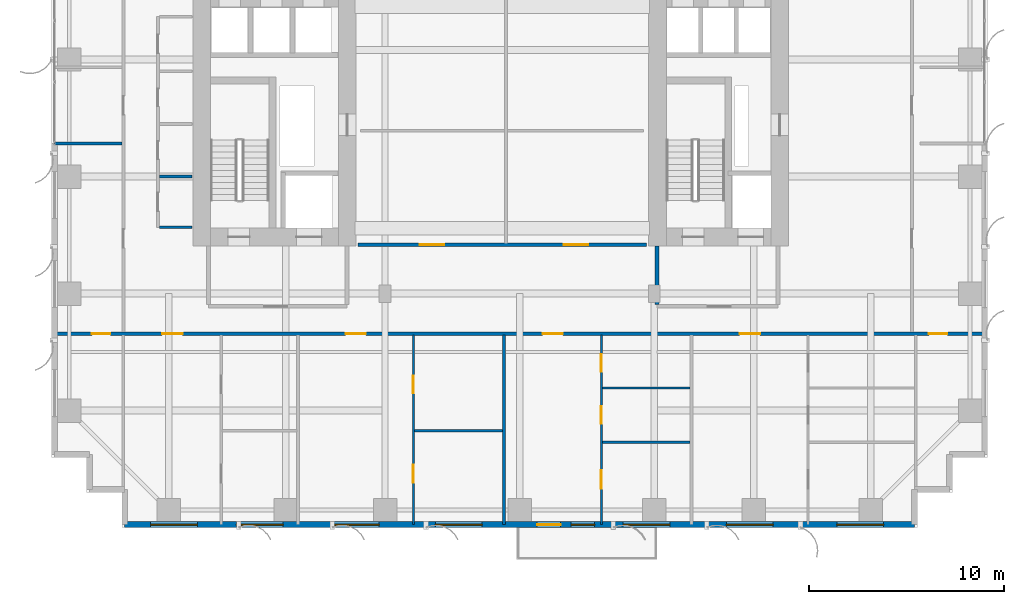
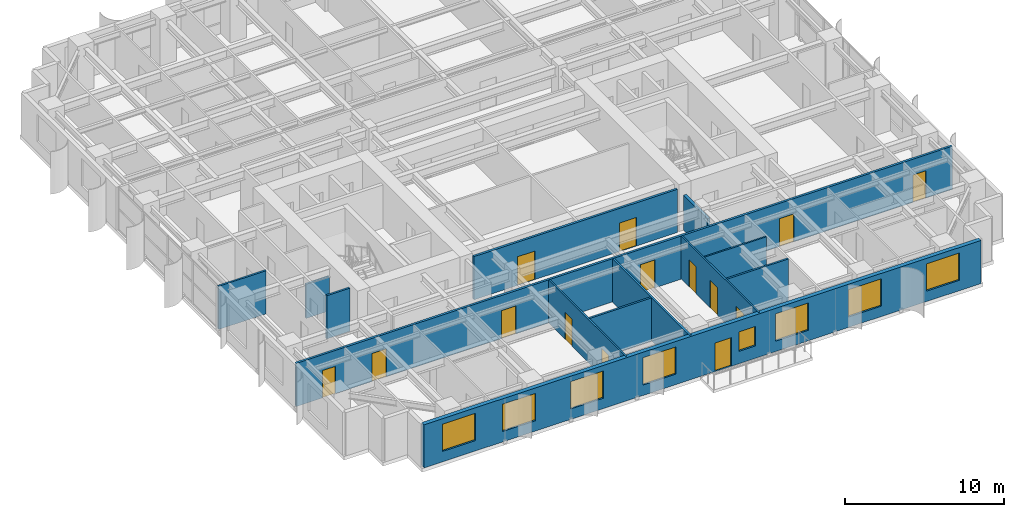
# One storey, part 9 of 17: 14 doors, 13 walls, 8 windows, 22 openings.
"""IFC4 building model written with IfcOpenShell, lengths in metres."""

import ifcopenshell
import ifcopenshell.guid

model = None  # the IFC model being written
_history = None  # IfcOwnerHistory: only IFC2X3 demands one
_inside = {}  # id of a spatial element -> (the spatial element, [elements in it])
_under = {}  # id of a project, library or spatial element -> (it, [spatial elements below it])
_declared = {}  # id of a project -> (the project, [libraries it declares])
_typed = {}  # id of a type object -> (the type object, [elements of that type])
_made_of = {}  # id of a material, layer set ... -> (it, [elements and type objects made of it])


def new_model(schema):
    """Start an empty IFC model of exactly this schema.

    Asked for "IFC4X3", IfcOpenShell would pick the latest addendum, in which some entities
    have other attributes; the version numbers below select the first issue.
    IFC2X3 requires an IfcOwnerHistory on every rooted entity: one is made here for all.
    """
    global model, _history
    if schema == "IFC4X3":
        model = ifcopenshell.file(schema_version=(4, 3, 0, 0))
    else:
        model = ifcopenshell.file(schema=schema)
    _inside.clear()
    _under.clear()
    _declared.clear()
    _typed.clear()
    _made_of.clear()
    _history = None
    if model.schema == "IFC2X3":
        org = make("IfcOrganization", Name="unknown")
        user = make(
            "IfcPersonAndOrganization",
            ThePerson=make("IfcPerson", FamilyName="unknown"),
            TheOrganization=org,
        )
        app = make(
            "IfcApplication",
            ApplicationDeveloper=org,
            Version="unknown",
            ApplicationFullName="unknown",
            ApplicationIdentifier="unknown",
        )
        _history = make(
            "IfcOwnerHistory",
            OwningUser=user,
            OwningApplication=app,
            ChangeAction="ADDED",
            CreationDate=0,
        )
    return model


def make(cls, **values):
    """One entity of the class cls with the attributes given. An attribute that is None is left unset."""
    return model.create_entity(
        cls, **{name: value for name, value in values.items() if value is not None}
    )


def rooted(cls, **values):
    """An entity with a GlobalId (a new one), such as an element, a storey or a relation."""
    return make(cls, GlobalId=ifcopenshell.guid.new(), OwnerHistory=_history, **values)


def si_unit(unit_type, name, prefix=None):
    """IfcSIUnit, for example si_unit("LENGTHUNIT", "METRE", prefix="MILLI")."""
    return make("IfcSIUnit", UnitType=unit_type, Prefix=prefix, Name=name)


def assignment(units):
    """IfcUnitAssignment: the units of a project."""
    return None if units is None else make("IfcUnitAssignment", Units=units)


def point(xyz):
    """IfcCartesianPoint."""
    return None if xyz is None else make("IfcCartesianPoint", Coordinates=xyz)


def direction(xyz):
    """IfcDirection."""
    return None if xyz is None else make("IfcDirection", DirectionRatios=xyz)


def frame(location, z_axis=None, x_axis=None):
    """IfcAxis2Placement3D, a coordinate frame: its origin and axes. An axis left out is left unset."""
    return make(
        "IfcAxis2Placement3D",
        Location=point(location),
        Axis=direction(z_axis),
        RefDirection=direction(x_axis),
    )


def frame_2d(location, x_axis=None):
    """IfcAxis2Placement2D, a coordinate frame in the plane: its origin and x axis."""
    return make(
        "IfcAxis2Placement2D", Location=point(location), RefDirection=direction(x_axis)
    )


def origin():
    """The frame at (0, 0, 0) with its axes left unset."""
    return frame((0.0, 0.0, 0.0))


def place(relative_to, where):
    """IfcLocalPlacement: puts the frame where relative to a parent placement (None: the world)."""
    return make(
        "IfcLocalPlacement", PlacementRelTo=relative_to, RelativePlacement=where
    )


def context(
    kind, dimensions, precision=None, world=None, true_north=None, identifier=None
):
    """IfcGeometricRepresentationContext, for example the 3D "Model" context."""
    return make(
        "IfcGeometricRepresentationContext",
        ContextIdentifier=identifier,
        ContextType=kind,
        CoordinateSpaceDimension=dimensions,
        Precision=precision,
        WorldCoordinateSystem=world,
        TrueNorth=true_north,
    )


def subcontext(parent, identifier, kind, view, scale=None):
    """IfcGeometricRepresentationSubContext, for example "Body" below "Model"."""
    return make(
        "IfcGeometricRepresentationSubContext",
        ContextIdentifier=identifier,
        ContextType=kind,
        ParentContext=parent,
        TargetScale=scale,
        TargetView=view,
    )


def project(units=None, contexts=None):
    """IfcProject with its units and contexts."""
    return rooted(
        "IfcProject",
        Name="project",
        RepresentationContexts=contexts,
        UnitsInContext=assignment(units),
    )


def spatial(cls, under=None, at=None, **own):
    """A site, building, storey or space (cls), placed at a placement, below another one or the project."""
    s = rooted(cls, ObjectPlacement=at, **own)
    if under is not None:
        _under.setdefault(under.id(), (under, []))[1].append(s)
    return s


def profile(cls, at=None, kind="AREA", **sizes):
    """A parametric profile (cls). Its sizes go by their IFC names, for example OverallWidth=200.0."""
    return make(cls, ProfileType=kind, Position=at, **sizes)


def rectangle(**sizes):
    """IfcRectangleProfileDef."""
    return profile("IfcRectangleProfileDef", **sizes)


def extrude(swept, where, along, depth):
    """IfcExtrudedAreaSolid: the profile swept, set in the frame where, extruded along a direction by depth."""
    return make(
        "IfcExtrudedAreaSolid",
        SweptArea=swept,
        Position=where,
        ExtrudedDirection=direction(along),
        Depth=depth,
    )


def shape(context_of_items, identifier, shape_type, items):
    """IfcShapeRepresentation: the items that make up one representation, for example the "Body"."""
    return make(
        "IfcShapeRepresentation",
        ContextOfItems=context_of_items,
        RepresentationIdentifier=identifier,
        RepresentationType=shape_type,
        Items=items,
    )


def source(mapping_origin, context_of_items, identifier, shape_type, items):
    """IfcRepresentationMap: a shape defined once, which mapped items show again and again."""
    return make(
        "IfcRepresentationMap",
        MappingOrigin=mapping_origin,
        MappedRepresentation=shape(context_of_items, identifier, shape_type, items),
    )


def transform(
    local_origin,
    x_axis=None,
    y_axis=None,
    z_axis=None,
    scale=None,
    scale2=None,
    scale3=None,
    uniform=True,
):
    """IfcCartesianTransformationOperator3D, or its non-uniform kind. x_axis, y_axis, z_axis: its Axis1, 2, 3."""
    if uniform:
        return make(
            "IfcCartesianTransformationOperator3D",
            Axis1=direction(x_axis),
            Axis2=direction(y_axis),
            LocalOrigin=point(local_origin),
            Scale=scale,
            Axis3=direction(z_axis),
        )
    return make(
        "IfcCartesianTransformationOperator3DnonUniform",
        Axis1=direction(x_axis),
        Axis2=direction(y_axis),
        LocalOrigin=point(local_origin),
        Scale=scale,
        Axis3=direction(z_axis),
        Scale2=scale2,
        Scale3=scale3,
    )


def mapped(mapping_source, mapping_target):
    """IfcMappedItem: shows the shape of a source again, moved by a transform."""
    return make(
        "IfcMappedItem", MappingSource=mapping_source, MappingTarget=mapping_target
    )


def material(Name=None, Category=None):
    """IfcMaterial."""
    return make("IfcMaterial", Name=Name, Category=Category)


def layer(
    of_material, thickness, ventilated=None, Name=None, Category=None, Priority=None
):
    """IfcMaterialLayer: one layer of a wall or slab, of a material (None: an air gap)."""
    return make(
        "IfcMaterialLayer",
        Material=of_material,
        LayerThickness=thickness,
        IsVentilated=ventilated,
        Name=Name,
        Category=Category,
        Priority=Priority,
    )


def layer_set(layers, Name=None):
    """IfcMaterialLayerSet."""
    return make("IfcMaterialLayerSet", MaterialLayers=layers, LayerSetName=Name)


def made_of(thing, what):
    """Note that an element or type object is made of a material, layer set ...; save() writes the relation."""
    if what is not None:
        _made_of.setdefault(what.id(), (what, []))[1].append(thing)
    return thing


def type_object(cls, material=None, **own):
    """A type object (cls), such as IfcWallType, which elements share."""
    return made_of(rooted(cls, **own), material)


def element(
    cls,
    number,
    at=None,
    inside=None,
    cuts=None,
    type_object=None,
    material=None,
    context=None,
    identifier="Body",
    shape_type=None,
    held_by="IfcProductDefinitionShape",
    body=None,
    shapes=None,
    **own,
):
    """One element of the class cls, such as IfcWall. Its Tag is "e" and its number.

    at: its placement. inside: the storey or other place that contains it. cuts: it is an
    opening in that element (IfcRelVoidsElement). A single representation is given by context,
    identifier, shape_type and body (its items); several are given by shapes. held_by: the class
    of the entity that holds the representations. save() writes the other relations.
    """
    e = rooted(cls, Tag="e%d" % number, ObjectPlacement=at, **own)
    if body is not None:
        shapes = [shape(context, identifier, shape_type, body)]
    if shapes is not None:
        e.Representation = make(held_by, Representations=shapes)
    if inside is not None:
        _inside.setdefault(inside.id(), (inside, []))[1].append(e)
    if cuts is not None:
        rooted(
            "IfcRelVoidsElement", RelatingBuildingElement=cuts, RelatedOpeningElement=e
        )
    if type_object is not None:
        _typed.setdefault(type_object.id(), (type_object, []))[1].append(e)
    return made_of(e, material)


def fill(opening, filler):
    """IfcRelFillsElement: the door or window that sits in an opening."""
    return rooted(
        "IfcRelFillsElement",
        RelatingOpeningElement=opening,
        RelatedBuildingElement=filler,
    )


def aggregate(whole, parts):
    """IfcRelAggregates: a whole, such as a stair, and the parts it consists of."""
    return rooted("IfcRelAggregates", RelatingObject=whole, RelatedObjects=parts)


def save(model, path):
    """Write the relations noted so far, then the file.

    IfcRelAggregates (storeys below a building ...), IfcRelContainedInSpatialStructure (elements
    in a storey), IfcRelDefinesByType, IfcRelAssociatesMaterial and IfcRelDeclares: one each for
    every whole, place, type object, material and project.
    """
    for whole, parts in _under.values():
        aggregate(whole, parts)
    for where, things in _inside.values():
        rooted(
            "IfcRelContainedInSpatialStructure",
            RelatedElements=things,
            RelatingStructure=where,
        )
    for kind, things in _typed.values():
        rooted("IfcRelDefinesByType", RelatedObjects=things, RelatingType=kind)
    for what, things in _made_of.values():
        rooted("IfcRelAssociatesMaterial", RelatedObjects=things, RelatingMaterial=what)
    for by, libraries in _declared.values():
        rooted("IfcRelDeclares", RelatingContext=by, RelatedDefinitions=libraries)
    model.write(path)


model = new_model("IFC4")

# Units and contexts
model_context = context("Model", 3, precision=1e-05, world=origin(), true_north=direction((0.0, 1.0)))
body_context = subcontext(model_context, "Body", "Model", "MODEL_VIEW")
ifc_project = project(units=[si_unit("LENGTHUNIT", "METRE"), si_unit("AREAUNIT", "SQUARE_METRE"), si_unit("VOLUMEUNIT", "CUBIC_METRE"), si_unit("PLANEANGLEUNIT", "RADIAN"), si_unit("MASSUNIT", "GRAM", prefix="KILO")], contexts=[model_context])

# Site, building, storey
site_placement = place(None, origin())
site = spatial("IfcSite", under=ifc_project, at=site_placement, CompositionType="ELEMENT")
building_placement = place(site_placement, origin())
building = spatial("IfcBuilding", under=site, at=building_placement, Name="Khoralis Quay Care Tower", CompositionType="ELEMENT")
storey_placement = place(building_placement, frame((0.0, 0.0, 58.5)))
storey = spatial("IfcBuildingStorey", under=building, at=storey_placement, Name="L15", CompositionType="ELEMENT", Elevation=58.5)

# Wall
ifc_material_1 = material(Name="Gypsum plasterboard on acoustic metal stud")
ifc_layer_1 = layer(ifc_material_1, 0.199951171875)
ifc_layer_set_1 = layer_set([ifc_layer_1], Name="Gypsum plasterboard on acoustic metal stud")
wall_type_1 = type_object("IfcWallType", Name="WL-COMP-200", PredefinedType="PARTITIONING", material=ifc_layer_set_1)
wall_1_placement = place(storey_placement, frame((31.050048828125, 11.445068359375, 0.0), z_axis=(0.0, 0.0, 1.0), x_axis=(0.0, 1.0, 0.0)))
element("IfcWall", 1, at=wall_1_placement, inside=storey, type_object=wall_type_1, Name="L15 East Firefighting Lobby West Wall", PredefinedType="PARTITIONING", context=body_context, shape_type="SweptSolid", body=[
    extrude(rectangle(XDim=2.98486328125, YDim=0.199951171875, at=frame_2d((1.492431640625, 0.0))), origin(), (0.0, 0.0, 1.0), 2.7041015625),
])

# Wall, openings, doors
ifc_layer_2 = layer(ifc_material_1, 0.1650390625)
ifc_layer_set_2 = layer_set([ifc_layer_2], Name="Gypsum plasterboard on acoustic metal stud")
wall_type_2 = type_object("IfcWallType", Name="WL-CORR-165", PredefinedType="PARTITIONING", material=ifc_layer_set_2)
wall_2_placement = place(storey_placement, frame((0.14501953125, 9.93994140625, 0.0), z_axis=(0.0, 0.0, 1.0), x_axis=(1.0, 0.0, 0.0)))
wall_2 = element("IfcWall", 2, at=wall_2_placement, inside=storey, type_object=wall_type_2, Name="L15 South Main Corridor Wall", PredefinedType="PARTITIONING", context=body_context, shape_type="SweptSolid", body=[
    extrude(rectangle(XDim=47.7099609375, YDim=0.1650390625, at=frame_2d((23.85498046875, 0.0))), origin(), (0.0, 0.0, 1.0), 3.320068359375),
])
opening_1_placement = place(wall_2_placement, frame((5.51904296875, 0.0, 0.0)))
opening_1 = element("IfcOpeningElement", 3, at=opening_1_placement, cuts=wall_2, Name="Opening UD1", PredefinedType="OPENING", context=body_context, shape_type="SweptSolid", body=[
    extrude(rectangle(XDim=1.050048828125, YDim=2.14990234375, at=frame_2d((0.52490234375, 1.074951171875))), frame((0.0, 0.092529296875, 0.0), z_axis=(0.0, -1.0, 0.0), x_axis=(1.0, 0.0, 0.0)), (0.0, 0.0, 1.0), 0.18505859375),
])
opening_2_placement = place(wall_2_placement, frame((14.927001953125, 0.0, 0.0)))
opening_2 = element("IfcOpeningElement", 4, at=opening_2_placement, cuts=wall_2, Name="Opening UD1", PredefinedType="OPENING", context=body_context, shape_type="SweptSolid", body=[
    extrude(rectangle(XDim=1.050048828125, YDim=2.14990234375, at=frame_2d((0.52490234375, 1.074951171875))), frame((0.0, 0.092529296875, 0.0), z_axis=(0.0, -1.0, 0.0), x_axis=(1.0, 0.0, 0.0)), (0.0, 0.0, 1.0), 0.18505859375),
])
opening_3_placement = place(wall_2_placement, frame((25.028564453125, 0.0, 0.0)))
opening_3 = element("IfcOpeningElement", 5, at=opening_3_placement, cuts=wall_2, Name="Opening UD1", PredefinedType="OPENING", context=body_context, shape_type="SweptSolid", body=[
    extrude(rectangle(XDim=1.050048828125, YDim=2.14990234375, at=frame_2d((0.52490234375, 1.074951171875))), frame((0.0, 0.092529296875, 0.0), z_axis=(0.0, -1.0, 0.0), x_axis=(1.0, 0.0, 0.0)), (0.0, 0.0, 1.0), 0.18505859375),
])
opening_4_placement = place(wall_2_placement, frame((35.132568359375, 0.0, 0.0)))
opening_4 = element("IfcOpeningElement", 6, at=opening_4_placement, cuts=wall_2, Name="Opening UD1", PredefinedType="OPENING", context=body_context, shape_type="SweptSolid", body=[
    extrude(rectangle(XDim=1.050048828125, YDim=2.14990234375, at=frame_2d((0.52490234375, 1.074951171875))), frame((0.0, 0.092529296875, 0.0), z_axis=(0.0, -1.0, 0.0), x_axis=(1.0, 0.0, 0.0)), (0.0, 0.0, 1.0), 0.18505859375),
])
opening_5_placement = place(wall_2_placement, frame((1.919921875, 0.0, 0.0)))
opening_5 = element("IfcOpeningElement", 7, at=opening_5_placement, cuts=wall_2, Name="Opening ID1", PredefinedType="OPENING", context=body_context, shape_type="SweptSolid", body=[
    extrude(rectangle(XDim=0.949951171875, YDim=2.10009765625, at=frame_2d((0.47509765625, 1.050048828125))), frame((0.0, 0.092529296875, 0.0), z_axis=(0.0, -1.0, 0.0), x_axis=(1.0, 0.0, 0.0)), (0.0, 0.0, 1.0), 0.18505859375),
])
opening_6_placement = place(wall_2_placement, frame((44.840087890625, 0.0, 0.0)))
opening_6 = element("IfcOpeningElement", 8, at=opening_6_placement, cuts=wall_2, Name="Opening ID1", PredefinedType="OPENING", context=body_context, shape_type="SweptSolid", body=[
    extrude(rectangle(XDim=0.949951171875, YDim=2.10009765625, at=frame_2d((0.47509765625, 1.050048828125))), frame((0.0, 0.092529296875, 0.0), z_axis=(0.0, -1.0, 0.0), x_axis=(1.0, 0.0, 0.0)), (0.0, 0.0, 1.0), 0.18505859375),
])
ifc_material_2 = material(Name="Acoustic hardwood timber", Category="wood")
door_type_1 = type_object("IfcDoorType", Name="DR-ROOM-950X2100", OperationType="NOTDEFINED", PredefinedType="DOOR", material=ifc_material_2)
shared_shape_1 = source(origin(), body_context, "Body", "SweptSolid", [
    extrude(rectangle(XDim=0.949951171875, YDim=2.10009765625, at=frame_2d((0.47509765625, 1.050048828125))), frame((0.0, 0.02490234375, 0.0), z_axis=(0.0, -1.0, 0.0), x_axis=(1.0, 0.0, 0.0)), (0.0, 0.0, 1.0), 0.050048828125),
])
door_1_placement = place(opening_5_placement, frame((0.949951171875, 0.0, 0.0), z_axis=(0.0, 0.0, 1.0), x_axis=(-1.0, 0.0, 0.0)))
door_1 = element("IfcDoor", 9, at=door_1_placement, inside=storey, type_object=door_type_1, Name="L15 SW Corner Door", OperationType="SINGLE_SWING_LEFT", OverallHeight=2.10009765625, OverallWidth=0.949951171875, PredefinedType="DOOR", context=body_context, shape_type="MappedRepresentation", body=[
    mapped(shared_shape_1, transform((0.0, 0.0, 0.0), scale=1.0)),
])
fill(opening_5, door_1)
door_2_placement = place(opening_6_placement, frame((0.949951171875, 0.0, 0.0), z_axis=(0.0, 0.0, 1.0), x_axis=(-1.0, 0.0, 0.0)))
door_2 = element("IfcDoor", 10, at=door_2_placement, inside=storey, type_object=door_type_1, Name="L15 SE Corner Door", OperationType="SINGLE_SWING_RIGHT", OverallHeight=2.10009765625, OverallWidth=0.949951171875, PredefinedType="DOOR", context=body_context, shape_type="MappedRepresentation", body=[
    mapped(shared_shape_1, transform((0.0, 0.0, 0.0), scale=1.0)),
])
fill(opening_6, door_2)
door_type_2 = type_object("IfcDoorType", Name="DR-SUITE-1050X2150", OperationType="NOTDEFINED", PredefinedType="DOOR", material=ifc_material_2)
shared_shape_2 = source(origin(), body_context, "Body", "SweptSolid", [
    extrude(rectangle(XDim=1.050048828125, YDim=2.14990234375, at=frame_2d((0.52490234375, 1.074951171875))), frame((0.0, 0.02490234375, 0.0), z_axis=(0.0, -1.0, 0.0), x_axis=(1.0, 0.0, 0.0)), (0.0, 0.0, 1.0), 0.050048828125),
])
door_3_placement = place(opening_1_placement, frame((1.050048828125, 0.0, 0.0), z_axis=(0.0, 0.0, 1.0), x_axis=(-1.0, 0.0, 0.0)))
door_3 = element("IfcDoor", 11, at=door_3_placement, inside=storey, type_object=door_type_2, Name="L15 Studio SB0 Entrance", OperationType="SINGLE_SWING_LEFT", OverallHeight=2.14990234375, OverallWidth=1.050048828125, PredefinedType="DOOR", context=body_context, shape_type="MappedRepresentation", body=[
    mapped(shared_shape_2, transform((0.0, 0.0, 0.0), scale=1.0)),
])
fill(opening_1, door_3)
door_4_placement = place(opening_2_placement, frame((1.050048828125, 0.0, 0.0), z_axis=(0.0, 0.0, 1.0), x_axis=(-1.0, 0.0, 0.0)))
door_4 = element("IfcDoor", 12, at=door_4_placement, inside=storey, type_object=door_type_2, Name="L15 Studio SB1 Entrance", OperationType="SINGLE_SWING_RIGHT", OverallHeight=2.14990234375, OverallWidth=1.050048828125, PredefinedType="DOOR", context=body_context, shape_type="MappedRepresentation", body=[
    mapped(shared_shape_2, transform((0.0, 0.0, 0.0), scale=1.0)),
])
fill(opening_2, door_4)
door_5_placement = place(opening_3_placement, frame((1.050048828125, 0.0, 0.0), z_axis=(0.0, 0.0, 1.0), x_axis=(-1.0, 0.0, 0.0)))
door_5 = element("IfcDoor", 13, at=door_5_placement, inside=storey, type_object=door_type_2, Name="L15 Apartment SB2 Entrance Door", OperationType="SINGLE_SWING_LEFT", OverallHeight=2.14990234375, OverallWidth=1.050048828125, PredefinedType="DOOR", context=body_context, shape_type="MappedRepresentation", body=[
    mapped(shared_shape_2, transform((0.0, 0.0, 0.0), scale=1.0)),
])
fill(opening_3, door_5)
door_6_placement = place(opening_4_placement, frame((1.050048828125, 0.0, 0.0), z_axis=(0.0, 0.0, 1.0), x_axis=(-1.0, 0.0, 0.0)))
door_6 = element("IfcDoor", 14, at=door_6_placement, inside=storey, type_object=door_type_2, Name="L15 Apartment SB3 Entrance Door", OperationType="SINGLE_SWING_RIGHT", OverallHeight=2.14990234375, OverallWidth=1.050048828125, PredefinedType="DOOR", context=body_context, shape_type="MappedRepresentation", body=[
    mapped(shared_shape_2, transform((0.0, 0.0, 0.0), scale=1.0)),
])
fill(opening_4, door_6)

wall_3_placement = place(storey_placement, frame((15.699951171875, 14.5, 0.0), z_axis=(0.0, 0.0, 1.0), x_axis=(1.0, 0.0, 0.0)))
wall_3 = element("IfcWall", 15, at=wall_3_placement, inside=storey, type_object=wall_type_2, Name="L15 Central Clinical South Wall", PredefinedType="PARTITIONING", context=body_context, shape_type="SweptSolid", body=[
    extrude(rectangle(XDim=14.800048828125, YDim=0.1650390625, at=frame_2d((7.39990234375, 0.0))), origin(), (0.0, 0.0, 1.0), 3.320068359375),
])
opening_7_placement = place(wall_3_placement, frame((3.175048828125, 0.0, 0.0)))
opening_7 = element("IfcOpeningElement", 16, at=opening_7_placement, cuts=wall_3, Name="Opening CD1", PredefinedType="OPENING", context=body_context, shape_type="SweptSolid", body=[
    extrude(rectangle(XDim=1.25, YDim=2.199951171875, at=frame_2d((0.625, 1.10009765625))), frame((0.0, 0.092529296875, 0.0), z_axis=(0.0, -1.0, 0.0), x_axis=(1.0, 0.0, 0.0)), (0.0, 0.0, 1.0), 0.18505859375),
])
opening_8_placement = place(wall_3_placement, frame((10.574951171875, 0.0, 0.0)))
opening_8 = element("IfcOpeningElement", 17, at=opening_8_placement, cuts=wall_3, Name="Opening CD1", PredefinedType="OPENING", context=body_context, shape_type="SweptSolid", body=[
    extrude(rectangle(XDim=1.25, YDim=2.199951171875, at=frame_2d((0.625, 1.10009765625))), frame((0.0, 0.092529296875, 0.0), z_axis=(0.0, -1.0, 0.0), x_axis=(1.0, 0.0, 0.0)), (0.0, 0.0, 1.0), 0.18505859375),
])
door_type_3 = type_object("IfcDoorType", Name="DR-CARE-1250X2200", OperationType="NOTDEFINED", PredefinedType="DOOR", material=ifc_material_2)
shared_shape_3 = source(origin(), body_context, "Body", "SweptSolid", [
    extrude(rectangle(XDim=1.25, YDim=2.199951171875, at=frame_2d((0.625, 1.10009765625))), frame((0.0, 0.02490234375, 0.0), z_axis=(0.0, -1.0, 0.0), x_axis=(1.0, 0.0, 0.0)), (0.0, 0.0, 1.0), 0.050048828125),
])
door_7_placement = place(opening_7_placement, origin())
door_7 = element("IfcDoor", 18, at=door_7_placement, inside=storey, type_object=door_type_3, Name="L15 Nurse Station Door", OperationType="SINGLE_SWING_LEFT", OverallHeight=2.199951171875, OverallWidth=1.25, PredefinedType="DOOR", context=body_context, shape_type="MappedRepresentation", body=[
    mapped(shared_shape_3, transform((0.0, 0.0, 0.0), scale=1.0)),
])
fill(opening_7, door_7)
door_8_placement = place(opening_8_placement, origin())
door_8 = element("IfcDoor", 19, at=door_8_placement, inside=storey, type_object=door_type_3, Name="L15 Treatment Clinic Door", OperationType="SINGLE_SWING_RIGHT", OverallHeight=2.199951171875, OverallWidth=1.25, PredefinedType="DOOR", context=body_context, shape_type="MappedRepresentation", body=[
    mapped(shared_shape_3, transform((0.0, 0.0, 0.0), scale=1.0)),
])
fill(opening_8, door_8)

# Wall, openings, windows, door
ifc_material_3 = material(Name="Precast concrete C45/55", Category="concrete")
ifc_layer_3 = layer(ifc_material_3, 0.300048828125)
ifc_layer_set_3 = layer_set([ifc_layer_3], Name="Precast concrete C45/55")
wall_type_3 = type_object("IfcWallType", Name="WL-EXT-REF-300", PredefinedType="SOLIDWALL", material=ifc_layer_set_3)
wall_4_placement = place(storey_placement, frame((3.75, 0.14990234375, 0.0), z_axis=(0.0, 0.0, 1.0), x_axis=(1.0, 0.0, 0.0)))
wall_4 = element("IfcWall", 20, at=wall_4_placement, inside=storey, type_object=wall_type_3, Name="L15 External Facade Wall WL-EXT-L15-P1-E0", PredefinedType="SOLIDWALL", context=body_context, shape_type="SweptSolid", body=[
    extrude(rectangle(XDim=40.5, YDim=0.300048828125, at=frame_2d((20.25, 0.0))), origin(), (0.0, 0.0, 1.0), 3.320068359375),
])
opening_9_placement = place(wall_4_placement, frame((1.323974609375, 0.0, 0.800048828125)))
opening_9 = element("IfcOpeningElement", 21, at=opening_9_placement, cuts=wall_4, Name="Opening W1", PredefinedType="OPENING", context=body_context, shape_type="SweptSolid", body=[
    extrude(rectangle(XDim=2.39990234375, YDim=2.10009765625, at=frame_2d((1.199951171875, 1.050048828125))), frame((0.0, 0.16015625, 0.0), z_axis=(0.0, -1.0, 0.0), x_axis=(1.0, 0.0, 0.0)), (0.0, 0.0, 1.0), 0.320068359375),
])
opening_10_placement = place(wall_4_placement, frame((5.718994140625, 0.0, 0.800048828125)))
opening_10 = element("IfcOpeningElement", 22, at=opening_10_placement, cuts=wall_4, Name="Opening W1", PredefinedType="OPENING", context=body_context, shape_type="SweptSolid", body=[
    extrude(rectangle(XDim=2.39990234375, YDim=2.10009765625, at=frame_2d((1.199951171875, 1.050048828125))), frame((0.0, 0.16015625, 0.0), z_axis=(0.0, -1.0, 0.0), x_axis=(1.0, 0.0, 0.0)), (0.0, 0.0, 1.0), 0.320068359375),
])
opening_11_placement = place(wall_4_placement, frame((10.64697265625, 0.0, 0.800048828125)))
opening_11 = element("IfcOpeningElement", 23, at=opening_11_placement, cuts=wall_4, Name="Opening W1", PredefinedType="OPENING", context=body_context, shape_type="SweptSolid", body=[
    extrude(rectangle(XDim=2.39990234375, YDim=2.10009765625, at=frame_2d((1.199951171875, 1.050048828125))), frame((0.0, 0.16015625, 0.0), z_axis=(0.0, -1.0, 0.0), x_axis=(1.0, 0.0, 0.0)), (0.0, 0.0, 1.0), 0.320068359375),
])
opening_12_placement = place(wall_4_placement, frame((15.927001953125, 0.0, 0.800048828125)))
opening_12 = element("IfcOpeningElement", 24, at=opening_12_placement, cuts=wall_4, Name="Opening W1", PredefinedType="OPENING", context=body_context, shape_type="SweptSolid", body=[
    extrude(rectangle(XDim=2.39990234375, YDim=2.10009765625, at=frame_2d((1.199951171875, 1.050048828125))), frame((0.0, 0.16015625, 0.0), z_axis=(0.0, -1.0, 0.0), x_axis=(1.0, 0.0, 0.0)), (0.0, 0.0, 1.0), 0.320068359375),
])
opening_13_placement = place(wall_4_placement, frame((22.8935546875, 0.0, 0.949951171875)))
opening_13 = element("IfcOpeningElement", 25, at=opening_13_placement, cuts=wall_4, Name="Opening W6", PredefinedType="OPENING", context=body_context, shape_type="SweptSolid", body=[
    extrude(rectangle(XDim=1.199951171875, YDim=1.5, at=frame_2d((0.60009765625, 0.75))), frame((0.0, 0.16015625, 0.0), z_axis=(0.0, -1.0, 0.0), x_axis=(1.0, 0.0, 0.0)), (0.0, 0.0, 1.0), 0.320068359375),
])
opening_14_placement = place(wall_4_placement, frame((25.553466796875, 0.0, 0.800048828125)))
opening_14 = element("IfcOpeningElement", 26, at=opening_14_placement, cuts=wall_4, Name="Opening W1", PredefinedType="OPENING", context=body_context, shape_type="SweptSolid", body=[
    extrude(rectangle(XDim=2.39990234375, YDim=2.10009765625, at=frame_2d((1.199951171875, 1.050048828125))), frame((0.0, 0.16015625, 0.0), z_axis=(0.0, -1.0, 0.0), x_axis=(1.0, 0.0, 0.0)), (0.0, 0.0, 1.0), 0.320068359375),
])
opening_15_placement = place(wall_4_placement, frame((30.8525390625, 0.0, 0.800048828125)))
opening_15 = element("IfcOpeningElement", 27, at=opening_15_placement, cuts=wall_4, Name="Opening W1", PredefinedType="OPENING", context=body_context, shape_type="SweptSolid", body=[
    extrude(rectangle(XDim=2.39990234375, YDim=2.10009765625, at=frame_2d((1.199951171875, 1.050048828125))), frame((0.0, 0.16015625, 0.0), z_axis=(0.0, -1.0, 0.0), x_axis=(1.0, 0.0, 0.0)), (0.0, 0.0, 1.0), 0.320068359375),
])
opening_16_placement = place(wall_4_placement, frame((36.5224609375, 0.0, 0.800048828125)))
opening_16 = element("IfcOpeningElement", 28, at=opening_16_placement, cuts=wall_4, Name="Opening W1", PredefinedType="OPENING", context=body_context, shape_type="SweptSolid", body=[
    extrude(rectangle(XDim=2.39990234375, YDim=2.10009765625, at=frame_2d((1.199951171875, 1.050048828125))), frame((0.0, 0.16015625, 0.0), z_axis=(0.0, -1.0, 0.0), x_axis=(1.0, 0.0, 0.0)), (0.0, 0.0, 1.0), 0.320068359375),
])
opening_17_placement = place(wall_4_placement, frame((21.14990234375, 0.0, 0.0)))
opening_17 = element("IfcOpeningElement", 29, at=opening_17_placement, cuts=wall_4, Name="Opening BD1", PredefinedType="OPENING", context=body_context, shape_type="SweptSolid", body=[
    extrude(rectangle(XDim=1.199951171875, YDim=2.199951171875, at=frame_2d((0.60009765625, 1.10009765625))), frame((0.0, 0.16015625, 0.0), z_axis=(0.0, -1.0, 0.0), x_axis=(1.0, 0.0, 0.0)), (0.0, 0.0, 1.0), 0.320068359375),
])
ifc_material_4 = material(Name="Low-E solar-control double glazing", Category="glass")
window_type_1 = type_object("IfcWindowType", Name="WN-POD-2400X2100", PartitioningType="SINGLE_PANEL", PredefinedType="WINDOW", material=ifc_material_4)
shared_shape_4 = source(origin(), body_context, "Body", "SweptSolid", [
    extrude(rectangle(XDim=2.39990234375, YDim=2.10009765625, at=frame_2d((1.199951171875, 1.050048828125))), frame((0.0, 0.030029296875, 0.0), z_axis=(0.0, -1.0, 0.0), x_axis=(1.0, 0.0, 0.0)), (0.0, 0.0, 1.0), 0.06005859375),
])
window_1_placement = place(opening_9_placement, origin())
window_1 = element("IfcWindow", 30, at=window_1_placement, inside=storey, type_object=window_type_1, Name="WN-L15-P1-E0 Facade Window 01", OverallHeight=2.10009765625, OverallWidth=2.39990234375, PartitioningType="SINGLE_PANEL", PredefinedType="WINDOW", context=body_context, shape_type="MappedRepresentation", body=[
    mapped(shared_shape_4, transform((0.0, 0.0, 0.0), scale=1.0)),
])
fill(opening_9, window_1)
window_2_placement = place(opening_10_placement, origin())
window_2 = element("IfcWindow", 31, at=window_2_placement, inside=storey, type_object=window_type_1, Name="WN-L15-P1-E0 Facade Window 02", OverallHeight=2.10009765625, OverallWidth=2.39990234375, PartitioningType="SINGLE_PANEL", PredefinedType="WINDOW", context=body_context, shape_type="MappedRepresentation", body=[
    mapped(shared_shape_4, transform((0.0, 0.0, 0.0), scale=1.0)),
])
fill(opening_10, window_2)
window_3_placement = place(opening_11_placement, origin())
window_3 = element("IfcWindow", 32, at=window_3_placement, inside=storey, type_object=window_type_1, Name="WN-L15-P1-E0 Facade Window 03", OverallHeight=2.10009765625, OverallWidth=2.39990234375, PartitioningType="SINGLE_PANEL", PredefinedType="WINDOW", context=body_context, shape_type="MappedRepresentation", body=[
    mapped(shared_shape_4, transform((0.0, 0.0, 0.0), scale=1.0)),
])
fill(opening_11, window_3)
window_4_placement = place(opening_12_placement, origin())
window_4 = element("IfcWindow", 33, at=window_4_placement, inside=storey, type_object=window_type_1, Name="WN-L15-P1-E0 Facade Window 04", OverallHeight=2.10009765625, OverallWidth=2.39990234375, PartitioningType="SINGLE_PANEL", PredefinedType="WINDOW", context=body_context, shape_type="MappedRepresentation", body=[
    mapped(shared_shape_4, transform((0.0, 0.0, 0.0), scale=1.0)),
])
fill(opening_12, window_4)
window_5_placement = place(opening_14_placement, origin())
window_5 = element("IfcWindow", 34, at=window_5_placement, inside=storey, type_object=window_type_1, Name="WN-L15-P1-E0 Facade Window 06", OverallHeight=2.10009765625, OverallWidth=2.39990234375, PartitioningType="SINGLE_PANEL", PredefinedType="WINDOW", context=body_context, shape_type="MappedRepresentation", body=[
    mapped(shared_shape_4, transform((0.0, 0.0, 0.0), scale=1.0)),
])
fill(opening_14, window_5)
window_6_placement = place(opening_15_placement, origin())
window_6 = element("IfcWindow", 35, at=window_6_placement, inside=storey, type_object=window_type_1, Name="WN-L15-P1-E0 Facade Window 07", OverallHeight=2.10009765625, OverallWidth=2.39990234375, PartitioningType="SINGLE_PANEL", PredefinedType="WINDOW", context=body_context, shape_type="MappedRepresentation", body=[
    mapped(shared_shape_4, transform((0.0, 0.0, 0.0), scale=1.0)),
])
fill(opening_15, window_6)
window_7_placement = place(opening_16_placement, origin())
window_7 = element("IfcWindow", 36, at=window_7_placement, inside=storey, type_object=window_type_1, Name="WN-L15-P1-E0 Facade Window 08", OverallHeight=2.10009765625, OverallWidth=2.39990234375, PartitioningType="SINGLE_PANEL", PredefinedType="WINDOW", context=body_context, shape_type="MappedRepresentation", body=[
    mapped(shared_shape_4, transform((0.0, 0.0, 0.0), scale=1.0)),
])
fill(opening_16, window_7)
window_type_2 = type_object("IfcWindowType", Name="WN-SCH-1200X1500", PartitioningType="SINGLE_PANEL", PredefinedType="WINDOW", material=ifc_material_4)
shared_shape_5 = source(origin(), body_context, "Body", "SweptSolid", [
    extrude(rectangle(XDim=1.199951171875, YDim=1.5, at=frame_2d((0.60009765625, 0.75))), frame((0.0, 0.030029296875, 0.0), z_axis=(0.0, -1.0, 0.0), x_axis=(1.0, 0.0, 0.0)), (0.0, 0.0, 1.0), 0.06005859375),
])
window_8_placement = place(opening_13_placement, origin())
window_8 = element("IfcWindow", 37, at=window_8_placement, inside=storey, type_object=window_type_2, Name="WN-L15-P1-E0 Facade Window 05", OverallHeight=1.5, OverallWidth=1.199951171875, PartitioningType="SINGLE_PANEL", PredefinedType="WINDOW", context=body_context, shape_type="MappedRepresentation", body=[
    mapped(shared_shape_5, transform((0.0, 0.0, 0.0), scale=1.0)),
])
fill(opening_13, window_8)
ifc_material_5 = material(Name="Anodised aluminium and laminated safety glass", Category="aluminium")
door_type_4 = type_object("IfcDoorType", Name="DR-EXT-BALC-1200X2200", OperationType="NOTDEFINED", PredefinedType="DOOR", material=ifc_material_5)
shared_shape_6 = source(origin(), body_context, "Body", "SweptSolid", [
    extrude(rectangle(XDim=1.199951171875, YDim=2.199951171875, at=frame_2d((0.60009765625, 1.10009765625))), frame((0.0, 0.02490234375, 0.0), z_axis=(0.0, -1.0, 0.0), x_axis=(1.0, 0.0, 0.0)), (0.0, 0.0, 1.0), 0.050048828125),
])
door_9_placement = place(opening_17_placement, frame((1.199951171875, 0.0, 0.0), z_axis=(0.0, 0.0, 1.0), x_axis=(-1.0, 0.0, 0.0)))
door_9 = element("IfcDoor", 38, at=door_9_placement, inside=storey, type_object=door_type_4, Name="L15 Senior Loggia Balcony Door", OperationType="SINGLE_SWING_RIGHT", OverallHeight=2.199951171875, OverallWidth=1.199951171875, PredefinedType="DOOR", context=body_context, shape_type="MappedRepresentation", body=[
    mapped(shared_shape_6, transform((0.0, 0.0, 0.0), scale=1.0)),
])
fill(opening_17, door_9)

# Wall, openings, doors
ifc_layer_4 = layer(ifc_material_1, 0.114990234375)
ifc_layer_set_4 = layer_set([ifc_layer_4], Name="Gypsum plasterboard on acoustic metal stud")
wall_type_4 = type_object("IfcWallType", Name="WL-PART-115", PredefinedType="PARTITIONING", material=ifc_layer_set_4)
wall_5_placement = place(storey_placement, frame((18.553955078125, 0.14501953125, 0.0), z_axis=(0.0, 0.0, 1.0), x_axis=(0.0, 1.0, 0.0)))
wall_5 = element("IfcWall", 39, at=wall_5_placement, inside=storey, type_object=wall_type_4, Name="L15 Studio 1 Internal Wall", PredefinedType="PARTITIONING", context=body_context, shape_type="SweptSolid", body=[
    extrude(rectangle(XDim=9.717529296875, YDim=0.114990234375, at=frame_2d((4.85888671875, 0.0))), origin(), (0.0, 0.0, 1.0), 3.320068359375),
])
opening_18_placement = place(wall_5_placement, frame((2.1650390625, 0.0, 0.0)))
opening_18 = element("IfcOpeningElement", 40, at=opening_18_placement, cuts=wall_5, Name="Opening WD1", PredefinedType="OPENING", context=body_context, shape_type="SweptSolid", body=[
    extrude(rectangle(XDim=0.89990234375, YDim=2.10009765625, at=frame_2d((0.449951171875, 1.050048828125))), frame((0.0, 0.0673828125, 0.0), z_axis=(0.0, -1.0, 0.0), x_axis=(1.0, 0.0, 0.0)), (0.0, 0.0, 1.0), 0.135009765625),
])
opening_19_placement = place(wall_5_placement, frame((6.7451171875, 0.0, 0.0)))
opening_19 = element("IfcOpeningElement", 41, at=opening_19_placement, cuts=wall_5, Name="Opening WD1", PredefinedType="OPENING", context=body_context, shape_type="SweptSolid", body=[
    extrude(rectangle(XDim=0.89990234375, YDim=2.10009765625, at=frame_2d((0.449951171875, 1.050048828125))), frame((0.0, 0.0673828125, 0.0), z_axis=(0.0, -1.0, 0.0), x_axis=(1.0, 0.0, 0.0)), (0.0, 0.0, 1.0), 0.135009765625),
])
door_type_5 = type_object("IfcDoorType", Name="DR-BATH-900X2100", OperationType="NOTDEFINED", PredefinedType="DOOR", material=ifc_material_2)
shared_shape_7 = source(origin(), body_context, "Body", "SweptSolid", [
    extrude(rectangle(XDim=0.89990234375, YDim=2.10009765625, at=frame_2d((0.449951171875, 1.050048828125))), frame((0.0, 0.02490234375, 0.0), z_axis=(0.0, -1.0, 0.0), x_axis=(1.0, 0.0, 0.0)), (0.0, 0.0, 1.0), 0.050048828125),
])
door_10_placement = place(opening_18_placement, frame((0.89990234375, 0.0, 0.0), z_axis=(0.0, 0.0, 1.0), x_axis=(-1.0, 0.0, 0.0)))
door_10 = element("IfcDoor", 42, at=door_10_placement, inside=storey, type_object=door_type_5, Name="L15 Studio SKT Door", OperationType="SINGLE_SWING_LEFT", OverallHeight=2.10009765625, OverallWidth=0.89990234375, PredefinedType="DOOR", context=body_context, shape_type="MappedRepresentation", body=[
    mapped(shared_shape_7, transform((0.0, 0.0, 0.0), scale=1.0)),
])
fill(opening_18, door_10)
door_11_placement = place(opening_19_placement, frame((0.89990234375, 0.0, 0.0), z_axis=(0.0, 0.0, 1.0), x_axis=(-1.0, 0.0, 0.0)))
door_11 = element("IfcDoor", 43, at=door_11_placement, inside=storey, type_object=door_type_5, Name="L15 Studio SBH Door", OperationType="SINGLE_SWING_RIGHT", OverallHeight=2.10009765625, OverallWidth=0.89990234375, PredefinedType="DOOR", context=body_context, shape_type="MappedRepresentation", body=[
    mapped(shared_shape_7, transform((0.0, 0.0, 0.0), scale=1.0)),
])
fill(opening_19, door_11)

wall_6_placement = place(storey_placement, frame((28.197021484375, 0.14501953125, 0.0), z_axis=(0.0, 0.0, 1.0), x_axis=(0.0, 1.0, 0.0)))
wall_6 = element("IfcWall", 44, at=wall_6_placement, inside=storey, type_object=wall_type_4, Name="L15 Unit 2 Internal Wall", PredefinedType="PARTITIONING", context=body_context, shape_type="SweptSolid", body=[
    extrude(rectangle(XDim=9.717529296875, YDim=0.114990234375, at=frame_2d((4.85888671875, 0.0))), origin(), (0.0, 0.0, 1.0), 3.320068359375),
])
opening_20_placement = place(wall_6_placement, frame((1.842041015625, 0.0, 0.0)))
opening_20 = element("IfcOpeningElement", 45, at=opening_20_placement, cuts=wall_6, Name="Opening ID1", PredefinedType="OPENING", context=body_context, shape_type="SweptSolid", body=[
    extrude(rectangle(XDim=0.949951171875, YDim=2.10009765625, at=frame_2d((0.47509765625, 1.050048828125))), frame((0.0, 0.0673828125, 0.0), z_axis=(0.0, -1.0, 0.0), x_axis=(1.0, 0.0, 0.0)), (0.0, 0.0, 1.0), 0.135009765625),
])
opening_21_placement = place(wall_6_placement, frame((5.17041015625, 0.0, 0.0)))
opening_21 = element("IfcOpeningElement", 46, at=opening_21_placement, cuts=wall_6, Name="Opening WD1", PredefinedType="OPENING", context=body_context, shape_type="SweptSolid", body=[
    extrude(rectangle(XDim=0.89990234375, YDim=2.10009765625, at=frame_2d((0.449951171875, 1.050048828125))), frame((0.0, 0.0673828125, 0.0), z_axis=(0.0, -1.0, 0.0), x_axis=(1.0, 0.0, 0.0)), (0.0, 0.0, 1.0), 0.135009765625),
])
opening_22_placement = place(wall_6_placement, frame((7.83837890625, 0.0, 0.0)))
opening_22 = element("IfcOpeningElement", 47, at=opening_22_placement, cuts=wall_6, Name="Opening WD1", PredefinedType="OPENING", context=body_context, shape_type="SweptSolid", body=[
    extrude(rectangle(XDim=0.89990234375, YDim=2.10009765625, at=frame_2d((0.449951171875, 1.050048828125))), frame((0.0, 0.0673828125, 0.0), z_axis=(0.0, -1.0, 0.0), x_axis=(1.0, 0.0, 0.0)), (0.0, 0.0, 1.0), 0.135009765625),
])
door_12_placement = place(opening_21_placement, frame((0.89990234375, 0.0, 0.0), z_axis=(0.0, 0.0, 1.0), x_axis=(-1.0, 0.0, 0.0)))
door_12 = element("IfcDoor", 48, at=door_12_placement, inside=storey, type_object=door_type_5, Name="L15 Apartment SB2 KIT Door", OperationType="SINGLE_SWING_LEFT", OverallHeight=2.10009765625, OverallWidth=0.89990234375, PredefinedType="DOOR", context=body_context, shape_type="MappedRepresentation", body=[
    mapped(shared_shape_7, transform((0.0, 0.0, 0.0), scale=1.0)),
])
fill(opening_21, door_12)
door_13_placement = place(opening_22_placement, frame((0.89990234375, 0.0, 0.0), z_axis=(0.0, 0.0, 1.0), x_axis=(-1.0, 0.0, 0.0)))
door_13 = element("IfcDoor", 49, at=door_13_placement, inside=storey, type_object=door_type_5, Name="L15 Apartment SB2 BTH Door", OperationType="SINGLE_SWING_RIGHT", OverallHeight=2.10009765625, OverallWidth=0.89990234375, PredefinedType="DOOR", context=body_context, shape_type="MappedRepresentation", body=[
    mapped(shared_shape_7, transform((0.0, 0.0, 0.0), scale=1.0)),
])
fill(opening_22, door_13)
door_14_placement = place(opening_20_placement, frame((0.949951171875, 0.0, 0.0), z_axis=(0.0, 0.0, 1.0), x_axis=(-1.0, 0.0, 0.0)))
door_14 = element("IfcDoor", 50, at=door_14_placement, inside=storey, type_object=door_type_1, Name="L15 Apartment SB2 BED Door", OperationType="SINGLE_SWING_RIGHT", OverallHeight=2.10009765625, OverallWidth=0.949951171875, PredefinedType="DOOR", context=body_context, shape_type="MappedRepresentation", body=[
    mapped(shared_shape_1, transform((0.0, 0.0, 0.0), scale=1.0)),
])
fill(opening_20, door_14)

# Walls
wall_7_placement = place(storey_placement, frame((28.24951171875, 7.156982421875, 0.0), z_axis=(0.0, 0.0, 1.0), x_axis=(1.0, 0.0, 0.0)))
element("IfcWall", 51, at=wall_7_placement, inside=storey, type_object=wall_type_4, Name="L15 Unit 2 Kitchen Wall", PredefinedType="PARTITIONING", context=body_context, shape_type="SweptSolid", body=[
    extrude(rectangle(XDim=4.49560546875, YDim=0.114990234375, at=frame_2d((2.247802734375, 0.0))), origin(), (0.0, 0.0, 1.0), 3.320068359375),
])
ifc_material_6 = material(Name="Moisture-resistant gypsum and ceramic tile")
ifc_layer_5 = layer(ifc_material_6, 0.280029296875)
ifc_layer_set_5 = layer_set([ifc_layer_5], Name="Moisture-resistant gypsum and ceramic tile")
wall_type_5 = type_object("IfcWallType", Name="WL-PLUMB-280", PredefinedType="PLUMBINGWALL", material=ifc_layer_set_5)
wall_8_placement = place(storey_placement, frame((5.527587890625, 18.0, 0.0), z_axis=(0.0, 0.0, 1.0), x_axis=(1.0, 0.0, 0.0)))
element("IfcWall", 52, at=wall_8_placement, inside=storey, type_object=wall_type_5, Name="L15 West Flank Divider 1", PredefinedType="PLUMBINGWALL", context=body_context, shape_type="SweptSolid", body=[
    extrude(rectangle(XDim=1.682373046875, YDim=0.139892578125, at=frame_2d((0.84130859375, 0.0))), origin(), (0.0, 0.0, 1.0), 2.625),
])
wall_9_placement = place(storey_placement, frame((18.6064453125, 4.969970703125, 0.0), z_axis=(0.0, 0.0, 1.0), x_axis=(1.0, 0.0, 0.0)))
element("IfcWall", 53, at=wall_9_placement, inside=storey, type_object=wall_type_5, Name="L15 Studio 1 Wet Split", PredefinedType="PLUMBINGWALL", context=body_context, shape_type="SweptSolid", body=[
    extrude(rectangle(XDim=4.528564453125, YDim=0.139892578125, at=frame_2d((2.26416015625, 0.0))), origin(), (0.0, 0.0, 1.0), 3.320068359375),
])
wall_10_placement = place(storey_placement, frame((28.24951171875, 4.3740234375, 0.0), z_axis=(0.0, 0.0, 1.0), x_axis=(1.0, 0.0, 0.0)))
element("IfcWall", 54, at=wall_10_placement, inside=storey, type_object=wall_type_5, Name="L15 Unit 2 Wet Wall", PredefinedType="PLUMBINGWALL", context=body_context, shape_type="SweptSolid", body=[
    extrude(rectangle(XDim=4.49560546875, YDim=0.139892578125, at=frame_2d((2.247802734375, 0.0))), origin(), (0.0, 0.0, 1.0), 3.320068359375),
])
ifc_layer_6 = layer(ifc_material_1, 0.139892578125)
ifc_layer_set_6 = layer_set([ifc_layer_6], Name="Gypsum plasterboard on acoustic metal stud")
wall_type_6 = type_object("IfcWallType", Name="WL-UNIT-140", PredefinedType="PARTITIONING", material=ifc_layer_set_6)
wall_11_placement = place(storey_placement, frame((5.527587890625, 15.39990234375, 0.0), z_axis=(0.0, 0.0, 1.0), x_axis=(1.0, 0.0, 0.0)))
element("IfcWall", 55, at=wall_11_placement, inside=storey, type_object=wall_type_6, Name="L15 West Flank South Cap", PredefinedType="PARTITIONING", context=body_context, shape_type="SweptSolid", body=[
    extrude(rectangle(XDim=1.682373046875, YDim=0.139892578125, at=frame_2d((0.84130859375, 0.0))), origin(), (0.0, 0.0, 1.0), 3.320068359375),
])
wall_12_placement = place(storey_placement, frame((0.14501953125, 19.699951171875, 0.0), z_axis=(0.0, 0.0, 1.0), x_axis=(1.0, 0.0, 0.0)))
element("IfcWall", 56, at=wall_12_placement, inside=storey, type_object=wall_type_6, Name="L15 WW Divider 1", PredefinedType="PARTITIONING", context=body_context, shape_type="SweptSolid", body=[
    extrude(rectangle(XDim=3.45751953125, YDim=0.139892578125, at=frame_2d((1.728759765625, 0.0))), origin(), (0.0, 0.0, 1.0), 3.320068359375),
])
wall_13_placement = place(storey_placement, frame((23.199951171875, 0.14501953125, 0.0), z_axis=(0.0, 0.0, 1.0), x_axis=(0.0, 1.0, 0.0)))
element("IfcWall", 57, at=wall_13_placement, inside=storey, type_object=wall_type_6, Name="L15 SB Demising Wall 2", PredefinedType="PARTITIONING", context=body_context, shape_type="SweptSolid", body=[
    extrude(rectangle(XDim=9.717529296875, YDim=0.139892578125, at=frame_2d((4.85888671875, 0.0))), origin(), (0.0, 0.0, 1.0), 3.320068359375),
])

save(model, "model.ifc")
